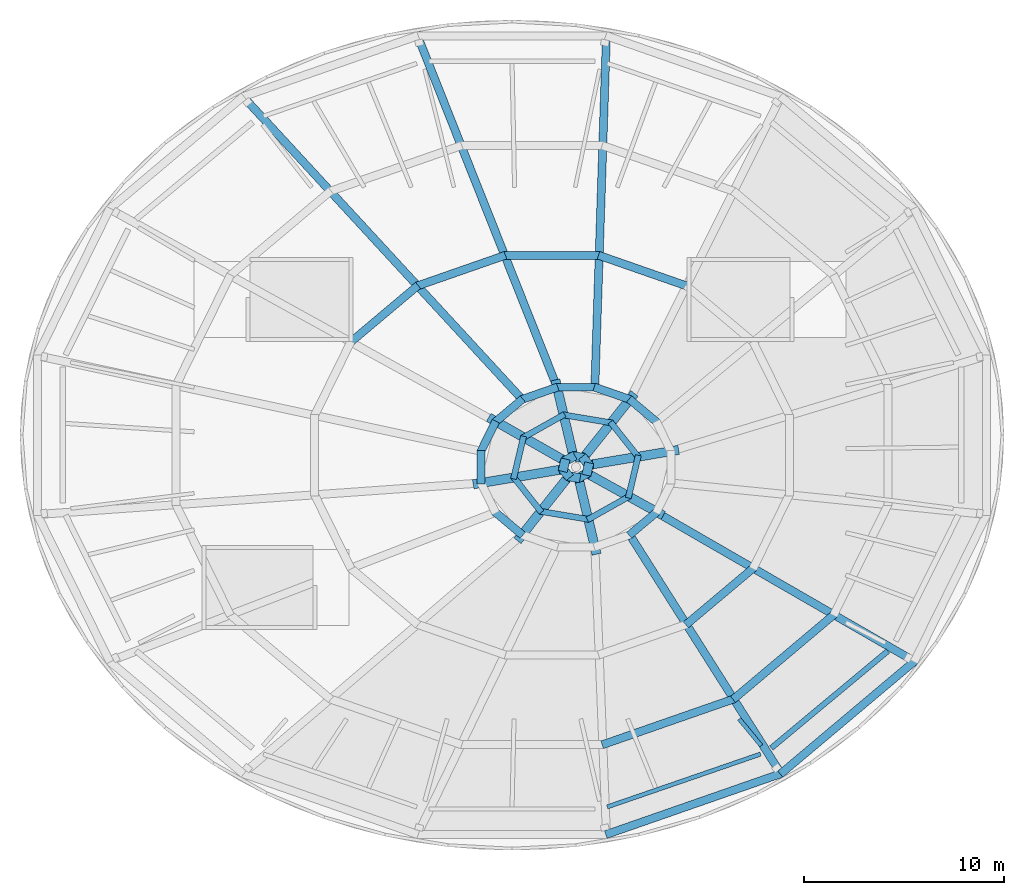
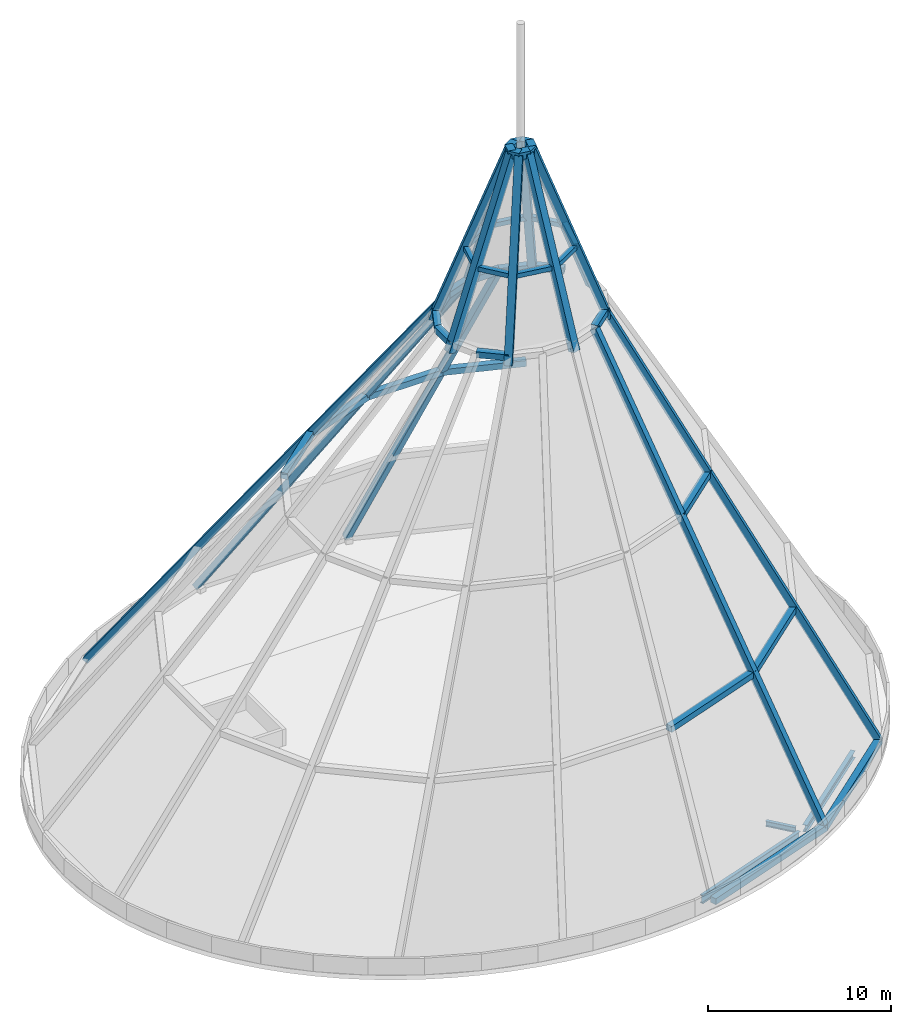
# One storey, part 2 of 7: 47 members, 3 beams, 19 elements without a shape of their own.
"""IFC4 building model written with IfcOpenShell, lengths in metres."""

import ifcopenshell
import ifcopenshell.guid

model = None  # the IFC model being written
_history = None  # IfcOwnerHistory: only IFC2X3 demands one
_inside = {}  # id of a spatial element -> (the spatial element, [elements in it])
_under = {}  # id of a project, library or spatial element -> (it, [spatial elements below it])
_declared = {}  # id of a project -> (the project, [libraries it declares])
_typed = {}  # id of a type object -> (the type object, [elements of that type])
_made_of = {}  # id of a material, layer set ... -> (it, [elements and type objects made of it])


def new_model(schema):
    """Start an empty IFC model of exactly this schema.

    Asked for "IFC4X3", IfcOpenShell would pick the latest addendum, in which some entities
    have other attributes; the version numbers below select the first issue.
    IFC2X3 requires an IfcOwnerHistory on every rooted entity: one is made here for all.
    """
    global model, _history
    if schema == "IFC4X3":
        model = ifcopenshell.file(schema_version=(4, 3, 0, 0))
    else:
        model = ifcopenshell.file(schema=schema)
    _inside.clear()
    _under.clear()
    _declared.clear()
    _typed.clear()
    _made_of.clear()
    _history = None
    if model.schema == "IFC2X3":
        org = make("IfcOrganization", Name="unknown")
        user = make(
            "IfcPersonAndOrganization",
            ThePerson=make("IfcPerson", FamilyName="unknown"),
            TheOrganization=org,
        )
        app = make(
            "IfcApplication",
            ApplicationDeveloper=org,
            Version="unknown",
            ApplicationFullName="unknown",
            ApplicationIdentifier="unknown",
        )
        _history = make(
            "IfcOwnerHistory",
            OwningUser=user,
            OwningApplication=app,
            ChangeAction="ADDED",
            CreationDate=0,
        )
    return model


def make(cls, **values):
    """One entity of the class cls with the attributes given. An attribute that is None is left unset."""
    return model.create_entity(
        cls, **{name: value for name, value in values.items() if value is not None}
    )


def rooted(cls, **values):
    """An entity with a GlobalId (a new one), such as an element, a storey or a relation."""
    return make(cls, GlobalId=ifcopenshell.guid.new(), OwnerHistory=_history, **values)


def si_unit(unit_type, name, prefix=None):
    """IfcSIUnit, for example si_unit("LENGTHUNIT", "METRE", prefix="MILLI")."""
    return make("IfcSIUnit", UnitType=unit_type, Prefix=prefix, Name=name)


def assignment(units):
    """IfcUnitAssignment: the units of a project."""
    return None if units is None else make("IfcUnitAssignment", Units=units)


def point(xyz):
    """IfcCartesianPoint."""
    return None if xyz is None else make("IfcCartesianPoint", Coordinates=xyz)


def direction(xyz):
    """IfcDirection."""
    return None if xyz is None else make("IfcDirection", DirectionRatios=xyz)


def frame(location, z_axis=None, x_axis=None):
    """IfcAxis2Placement3D, a coordinate frame: its origin and axes. An axis left out is left unset."""
    return make(
        "IfcAxis2Placement3D",
        Location=point(location),
        Axis=direction(z_axis),
        RefDirection=direction(x_axis),
    )


def frame_2d(location, x_axis=None):
    """IfcAxis2Placement2D, a coordinate frame in the plane: its origin and x axis."""
    return make(
        "IfcAxis2Placement2D", Location=point(location), RefDirection=direction(x_axis)
    )


def origin():
    """The frame at (0, 0, 0) with its axes left unset."""
    return frame((0.0, 0.0, 0.0))


def origin_2d():
    """The frame at (0, 0) in the plane with its x axis left unset."""
    return frame_2d((0.0, 0.0))


def place(relative_to, where):
    """IfcLocalPlacement: puts the frame where relative to a parent placement (None: the world)."""
    return make(
        "IfcLocalPlacement", PlacementRelTo=relative_to, RelativePlacement=where
    )


def context(
    kind, dimensions, precision=None, world=None, true_north=None, identifier=None
):
    """IfcGeometricRepresentationContext, for example the 3D "Model" context."""
    return make(
        "IfcGeometricRepresentationContext",
        ContextIdentifier=identifier,
        ContextType=kind,
        CoordinateSpaceDimension=dimensions,
        Precision=precision,
        WorldCoordinateSystem=world,
        TrueNorth=true_north,
    )


def subcontext(parent, identifier, kind, view, scale=None):
    """IfcGeometricRepresentationSubContext, for example "Body" below "Model"."""
    return make(
        "IfcGeometricRepresentationSubContext",
        ContextIdentifier=identifier,
        ContextType=kind,
        ParentContext=parent,
        TargetScale=scale,
        TargetView=view,
    )


def project(units=None, contexts=None):
    """IfcProject with its units and contexts."""
    return rooted(
        "IfcProject",
        Name="project",
        RepresentationContexts=contexts,
        UnitsInContext=assignment(units),
    )


def spatial(cls, under=None, at=None, **own):
    """A site, building, storey or space (cls), placed at a placement, below another one or the project."""
    s = rooted(cls, ObjectPlacement=at, **own)
    if under is not None:
        _under.setdefault(under.id(), (under, []))[1].append(s)
    return s


def profile(cls, at=None, kind="AREA", **sizes):
    """A parametric profile (cls). Its sizes go by their IFC names, for example OverallWidth=200.0."""
    return make(cls, ProfileType=kind, Position=at, **sizes)


def rectangle(**sizes):
    """IfcRectangleProfileDef."""
    return profile("IfcRectangleProfileDef", **sizes)


def i_section(**sizes):
    """IfcIShapeProfileDef."""
    return profile("IfcIShapeProfileDef", **sizes)


def extrude(swept, where, along, depth):
    """IfcExtrudedAreaSolid: the profile swept, set in the frame where, extruded along a direction by depth."""
    return make(
        "IfcExtrudedAreaSolid",
        SweptArea=swept,
        Position=where,
        ExtrudedDirection=direction(along),
        Depth=depth,
    )


def shape(context_of_items, identifier, shape_type, items):
    """IfcShapeRepresentation: the items that make up one representation, for example the "Body"."""
    return make(
        "IfcShapeRepresentation",
        ContextOfItems=context_of_items,
        RepresentationIdentifier=identifier,
        RepresentationType=shape_type,
        Items=items,
    )


def material(Name=None, Category=None):
    """IfcMaterial."""
    return make("IfcMaterial", Name=Name, Category=Category)


def material_profile(
    of_material, cross_section, Name=None, Category=None, Priority=None
):
    """IfcMaterialProfile: a cross section and its material."""
    return make(
        "IfcMaterialProfile",
        Name=Name,
        Material=of_material,
        Profile=cross_section,
        Priority=Priority,
        Category=Category,
    )


def profile_set(profiles, Name=None, composite=None):
    """IfcMaterialProfileSet."""
    return make(
        "IfcMaterialProfileSet",
        Name=Name,
        MaterialProfiles=profiles,
        CompositeProfile=composite,
    )


def made_of(thing, what):
    """Note that an element or type object is made of a material, layer set ...; save() writes the relation."""
    if what is not None:
        _made_of.setdefault(what.id(), (what, []))[1].append(thing)
    return thing


def type_object(cls, material=None, **own):
    """A type object (cls), such as IfcWallType, which elements share."""
    return made_of(rooted(cls, **own), material)


def element(
    cls,
    number,
    at=None,
    inside=None,
    cuts=None,
    type_object=None,
    material=None,
    context=None,
    identifier="Body",
    shape_type=None,
    held_by="IfcProductDefinitionShape",
    body=None,
    shapes=None,
    **own,
):
    """One element of the class cls, such as IfcWall. Its Tag is "e" and its number.

    at: its placement. inside: the storey or other place that contains it. cuts: it is an
    opening in that element (IfcRelVoidsElement). A single representation is given by context,
    identifier, shape_type and body (its items); several are given by shapes. held_by: the class
    of the entity that holds the representations. save() writes the other relations.
    """
    e = rooted(cls, Tag="e%d" % number, ObjectPlacement=at, **own)
    if body is not None:
        shapes = [shape(context, identifier, shape_type, body)]
    if shapes is not None:
        e.Representation = make(held_by, Representations=shapes)
    if inside is not None:
        _inside.setdefault(inside.id(), (inside, []))[1].append(e)
    if cuts is not None:
        rooted(
            "IfcRelVoidsElement", RelatingBuildingElement=cuts, RelatedOpeningElement=e
        )
    if type_object is not None:
        _typed.setdefault(type_object.id(), (type_object, []))[1].append(e)
    return made_of(e, material)


def aggregate(whole, parts):
    """IfcRelAggregates: a whole, such as a stair, and the parts it consists of."""
    return rooted("IfcRelAggregates", RelatingObject=whole, RelatedObjects=parts)


def save(model, path):
    """Write the relations noted so far, then the file.

    IfcRelAggregates (storeys below a building ...), IfcRelContainedInSpatialStructure (elements
    in a storey), IfcRelDefinesByType, IfcRelAssociatesMaterial and IfcRelDeclares: one each for
    every whole, place, type object, material and project.
    """
    for whole, parts in _under.values():
        aggregate(whole, parts)
    for where, things in _inside.values():
        rooted(
            "IfcRelContainedInSpatialStructure",
            RelatedElements=things,
            RelatingStructure=where,
        )
    for kind, things in _typed.values():
        rooted("IfcRelDefinesByType", RelatedObjects=things, RelatingType=kind)
    for what, things in _made_of.values():
        rooted("IfcRelAssociatesMaterial", RelatedObjects=things, RelatingMaterial=what)
    for by, libraries in _declared.values():
        rooted("IfcRelDeclares", RelatingContext=by, RelatedDefinitions=libraries)
    model.write(path)


model = new_model("IFC4")

# Units and contexts
model_context = context("Model", 3, precision=1e-05, world=origin(), true_north=direction((0.0, 1.0)))
body_context = subcontext(model_context, "Body", "Model", "MODEL_VIEW")
ifc_project = project(units=[si_unit("LENGTHUNIT", "METRE"), si_unit("AREAUNIT", "SQUARE_METRE"), si_unit("VOLUMEUNIT", "CUBIC_METRE"), si_unit("PLANEANGLEUNIT", "RADIAN"), si_unit("MASSUNIT", "GRAM", prefix="KILO")], contexts=[model_context])

# Site, building, storey
site_placement = place(None, origin())
site = spatial("IfcSite", under=ifc_project, at=site_placement, CompositionType="ELEMENT")
building_placement = place(site_placement, origin())
building = spatial("IfcBuilding", under=site, at=building_placement, Name="Marenthal Gate Tower", CompositionType="ELEMENT")
storey_placement = place(building_placement, frame((0.0, 0.0, 423.550048828125)))
storey = spatial("IfcBuildingStorey", under=building, at=storey_placement, Name="RF", CompositionType="ELEMENT", Elevation=423.550048828125)

# Curtain wall, member
ifc_material_1 = material(Name="Aluminium and glass", Category="aluminium")
curtain_wall_type = type_object("IfcCurtainWallType", Name="Curtain wall crown facet", PredefinedType="NOTDEFINED", material=ifc_material_1)
curtain_wall_1_placement = place(storey_placement, origin())
curtain_wall_1 = element("IfcCurtainWall", 1, at=curtain_wall_1_placement, inside=storey, type_object=curtain_wall_type, Name="Crown facet 4", PredefinedType="NOTDEFINED")
ifc_material_2 = material(Name="Steel S355", Category="steel")
ifc_material_profile_1 = material_profile(ifc_material_2, rectangle(XDim=0.39990234375, YDim=0.39990234375, at=origin_2d()), Name="Crown frame hip 400x400")
ifc_profile_set_1 = profile_set([ifc_material_profile_1], Name="Steel S355")
member_type_1 = type_object("IfcMemberType", Name="CROWN FRAME hip 400x400", PredefinedType="MULLION", material=ifc_profile_set_1)
member_1_placement = place(storey_placement, frame((4.32421875, 20.877685546875, 0.199951171875), z_axis=(-0.017254068832, -0.523635177011, 0.851767866561), x_axis=(0.999457572179, -0.032932680045, 0.0)))
member_1 = element("IfcMember", 2, at=member_1_placement, type_object=member_type_1, Name="Crown frame hip 4", PredefinedType="MULLION", context=body_context, shape_type="SweptSolid", body=[
    extrude(rectangle(XDim=0.39990234375, YDim=0.39990234375, at=origin_2d()), origin(), (0.0, 0.0, 1.0), 33.577392578125),
])

curtain_wall_2_placement = place(storey_placement, origin())
curtain_wall_2 = element("IfcCurtainWall", 3, at=curtain_wall_2_placement, inside=storey, type_object=curtain_wall_type, Name="Crown facet 5", PredefinedType="NOTDEFINED")
member_2_placement = place(storey_placement, frame((-5.1240234375, 20.877685546875, 0.199951171875), z_axis=(0.203535284517, -0.512750571417, 0.834062491345), x_axis=(0.929451656451, 0.368943923004, 0.0)))
member_2 = element("IfcMember", 4, at=member_2_placement, type_object=member_type_1, Name="Crown frame hip 5", PredefinedType="MULLION", context=body_context, shape_type="SweptSolid", body=[
    extrude(rectangle(XDim=0.39990234375, YDim=0.39990234375, at=origin_2d()), origin(), (0.0, 0.0, 1.0), 34.2900390625),
])

curtain_wall_3_placement = place(storey_placement, origin())
curtain_wall_3 = element("IfcCurtainWall", 5, at=curtain_wall_3_placement, inside=storey, type_object=curtain_wall_type, Name="Crown facet 6", PredefinedType="NOTDEFINED")
member_3_placement = place(storey_placement, frame((-13.85302734375, 17.836181640625, 0.199951171875), z_axis=(0.39612175097, -0.429784134424, 0.81140196956), x_axis=(0.735316624789, 0.677723735241, 0.0)))
member_3 = element("IfcMember", 6, at=member_3_placement, type_object=member_type_1, Name="Crown frame hip 6", PredefinedType="MULLION", context=body_context, shape_type="SweptSolid", body=[
    extrude(rectangle(XDim=0.39990234375, YDim=0.39990234375, at=origin_2d()), origin(), (0.0, 0.0, 1.0), 35.247802734375),
])

curtain_wall_4_placement = place(storey_placement, origin())
curtain_wall_4 = element("IfcCurtainWall", 7, at=curtain_wall_4_placement, inside=storey, type_object=curtain_wall_type, Name="Crown facet 14", PredefinedType="NOTDEFINED")
member_4_placement = place(storey_placement, frame((13.052978515625, -16.0361328125, 0.199951171875), z_axis=(-0.237023896935, 0.374516887415, 0.896413282657), x_axis=(-0.844992541983, -0.53477808855, 0.0)))
member_4 = element("IfcMember", 8, at=member_4_placement, type_object=member_type_1, Name="Crown frame hip 14", PredefinedType="MULLION", context=body_context, shape_type="SweptSolid", body=[
    extrude(rectangle(XDim=0.39990234375, YDim=0.39990234375, at=origin_2d()), origin(), (0.0, 0.0, 1.0), 31.905029296875),
])

curtain_wall_5_placement = place(storey_placement, origin())
curtain_wall_5 = element("IfcCurtainWall", 9, at=curtain_wall_5_placement, inside=storey, type_object=curtain_wall_type, Name="Crown facet 15", PredefinedType="NOTDEFINED")
member_5_placement = place(storey_placement, frame((19.73388671875, -10.41650390625, 0.199951171875), z_axis=(-0.400208360641, 0.231099945782, 0.886806677429), x_axis=(-0.500064169091, -0.865988352573, 0.0)))
member_5 = element("IfcMember", 10, at=member_5_placement, type_object=member_type_1, Name="Crown frame hip 15", PredefinedType="MULLION", context=body_context, shape_type="SweptSolid", body=[
    extrude(rectangle(XDim=0.39990234375, YDim=0.39990234375, at=origin_2d()), origin(), (0.0, 0.0, 1.0), 32.250732421875),
])
aggregate(curtain_wall_5, [member_5])

curtain_wall_6_placement = place(storey_placement, origin())
curtain_wall_6 = element("IfcCurtainWall", 11, at=curtain_wall_6_placement, inside=storey, type_object=curtain_wall_type, Name="Crown pinnacle facet 1", PredefinedType="NOTDEFINED")
ifc_material_3 = material(Name="Steel S355", Category="steel")
ifc_material_profile_2 = material_profile(ifc_material_3, rectangle(XDim=0.4599609375, YDim=0.4599609375, at=origin_2d()), Name="Crown frame pinnacle collar 460x460")
ifc_profile_set_2 = profile_set([ifc_material_profile_2], Name="Steel S355")
member_type_2 = type_object("IfcMemberType", Name="CROWN FRAME pinnacle collar 460x460", PredefinedType="USERDEFINED", material=ifc_profile_set_2)
member_6_placement = place(storey_placement, frame((3.510498046875, -0.68017578125, 39.619873046875), z_axis=(-0.621929791008, 0.783073007488, 0.0), x_axis=(-0.783073007488, -0.621929791008, 0.0)))
member_6 = element("IfcMember", 12, at=member_6_placement, type_object=member_type_2, Name="Crown frame pinnacle ring 2.1", ObjectType="TRANSOM", PredefinedType="USERDEFINED", context=body_context, shape_type="SweptSolid", body=[
    extrude(rectangle(XDim=0.4599609375, YDim=0.4599609375, at=origin_2d()), origin(), (0.0, 0.0, 1.0), 0.64697265625),
])

curtain_wall_7_placement = place(storey_placement, origin())
curtain_wall_7 = element("IfcCurtainWall", 13, at=curtain_wall_7_placement, inside=storey, type_object=curtain_wall_type, Name="Crown pinnacle facet 2", PredefinedType="NOTDEFINED")
member_7_placement = place(storey_placement, frame((3.250244140625, -0.25732421875, 39.619873046875), z_axis=(-0.986334488263, 0.164755204053, 0.0), x_axis=(-0.164755204053, -0.986334488263, 0.0)))
member_7 = element("IfcMember", 14, at=member_7_placement, type_object=member_type_2, Name="Crown frame pinnacle ring 2.2", ObjectType="TRANSOM", PredefinedType="USERDEFINED", context=body_context, shape_type="SweptSolid", body=[
    extrude(rectangle(XDim=0.4599609375, YDim=0.4599609375, at=origin_2d()), origin(), (0.0, 0.0, 1.0), 0.666748046875),
])

curtain_wall_8_placement = place(storey_placement, origin())
curtain_wall_8 = element("IfcCurtainWall", 15, at=curtain_wall_8_placement, inside=storey, type_object=curtain_wall_type, Name="Crown pinnacle facet 3", PredefinedType="NOTDEFINED")
member_8_placement = place(storey_placement, frame((2.7431640625, -0.12109375, 39.619873046875), z_axis=(-0.871822802942, -0.489821396298, 0.0), x_axis=(0.489821396298, -0.871822802942, 0.0)))
member_8 = element("IfcMember", 16, at=member_8_placement, type_object=member_type_2, Name="Crown frame pinnacle ring 2.3", ObjectType="TRANSOM", PredefinedType="USERDEFINED", context=body_context, shape_type="SweptSolid", body=[
    extrude(rectangle(XDim=0.4599609375, YDim=0.4599609375, at=origin_2d()), origin(), (0.0, 0.0, 1.0), 0.658935546875),
])

curtain_wall_9_placement = place(storey_placement, origin())
curtain_wall_9 = element("IfcCurtainWall", 17, at=curtain_wall_9_placement, inside=storey, type_object=curtain_wall_type, Name="Crown pinnacle facet 4", PredefinedType="NOTDEFINED")
member_9_placement = place(storey_placement, frame((2.27978515625, -0.29638671875, 39.619873046875), z_axis=(-0.230150951779, -0.973154941104, 0.0), x_axis=(0.973154941104, -0.230150951779, 0.0)))
member_9 = element("IfcMember", 18, at=member_9_placement, type_object=member_type_2, Name="Crown frame pinnacle ring 2.4", ObjectType="TRANSOM", PredefinedType="USERDEFINED", context=body_context, shape_type="SweptSolid", body=[
    extrude(rectangle(XDim=0.4599609375, YDim=0.4599609375, at=origin_2d()), origin(), (0.0, 0.0, 1.0), 0.636474609375),
])

curtain_wall_10_placement = place(storey_placement, origin())
curtain_wall_10 = element("IfcCurtainWall", 19, at=curtain_wall_10_placement, inside=storey, type_object=curtain_wall_type, Name="Crown pinnacle facet 5", PredefinedType="NOTDEFINED")
member_10_placement = place(storey_placement, frame((2.089599609375, -0.719970703125, 39.619873046875), z_axis=(0.622113620685, -0.782926971663, 0.0), x_axis=(0.782926971663, 0.622113620685, 0.0)))
member_10 = element("IfcMember", 20, at=member_10_placement, type_object=member_type_2, Name="Crown frame pinnacle ring 2.5", ObjectType="TRANSOM", PredefinedType="USERDEFINED", context=body_context, shape_type="SweptSolid", body=[
    extrude(rectangle(XDim=0.4599609375, YDim=0.4599609375, at=origin_2d()), origin(), (0.0, 0.0, 1.0), 0.646728515625),
])

curtain_wall_11_placement = place(storey_placement, origin())
curtain_wall_11 = element("IfcCurtainWall", 21, at=curtain_wall_11_placement, inside=storey, type_object=curtain_wall_type, Name="Crown pinnacle facet 6", PredefinedType="NOTDEFINED")
member_11_placement = place(storey_placement, frame((2.349609375, -1.142578125, 39.619873046875), z_axis=(0.98628490639, -0.165051759845, 0.0), x_axis=(0.165051759845, 0.98628490639, 0.0)))
member_11 = element("IfcMember", 22, at=member_11_placement, type_object=member_type_2, Name="Crown frame pinnacle ring 2.6", ObjectType="TRANSOM", PredefinedType="USERDEFINED", context=body_context, shape_type="SweptSolid", body=[
    extrude(rectangle(XDim=0.4599609375, YDim=0.4599609375, at=origin_2d()), origin(), (0.0, 0.0, 1.0), 0.6669921875),
])

curtain_wall_12_placement = place(storey_placement, origin())
curtain_wall_12 = element("IfcCurtainWall", 23, at=curtain_wall_12_placement, inside=storey, type_object=curtain_wall_type, Name="Crown pinnacle facet 7", PredefinedType="NOTDEFINED")
member_12_placement = place(storey_placement, frame((2.85693359375, -1.279052734375, 39.619873046875), z_axis=(0.871664562223, 0.490102939151, 0.0), x_axis=(-0.490102939151, 0.871664562223, 0.0)))
member_12 = element("IfcMember", 24, at=member_12_placement, type_object=member_type_2, Name="Crown frame pinnacle ring 2.7", ObjectType="TRANSOM", PredefinedType="USERDEFINED", context=body_context, shape_type="SweptSolid", body=[
    extrude(rectangle(XDim=0.4599609375, YDim=0.4599609375, at=origin_2d()), origin(), (0.0, 0.0, 1.0), 0.658935546875),
])

curtain_wall_13_placement = place(storey_placement, origin())
curtain_wall_13 = element("IfcCurtainWall", 25, at=curtain_wall_13_placement, inside=storey, type_object=curtain_wall_type, Name="Crown pinnacle facet 8", PredefinedType="NOTDEFINED")
member_13_placement = place(storey_placement, frame((3.3203125, -1.103515625, 39.619873046875), z_axis=(0.230150951779, 0.973154941104, 0.0), x_axis=(-0.973154941104, 0.230150951779, 0.0)))
member_13 = element("IfcMember", 26, at=member_13_placement, type_object=member_type_2, Name="Crown frame pinnacle ring 2.8", ObjectType="TRANSOM", PredefinedType="USERDEFINED", context=body_context, shape_type="SweptSolid", body=[
    extrude(rectangle(XDim=0.4599609375, YDim=0.4599609375, at=origin_2d()), origin(), (0.0, 0.0, 1.0), 0.636474609375),
])

# Member
ifc_material_4 = material(Name="Steel S355", Category="steel")
ifc_material_profile_3 = material_profile(ifc_material_4, rectangle(XDim=0.4599609375, YDim=0.4599609375, at=origin_2d()), Name="Crown frame pinnacle hip 460x460")
ifc_profile_set_3 = profile_set([ifc_material_profile_3], Name="Steel S355")
member_type_3 = type_object("IfcMemberType", Name="CROWN FRAME pinnacle hip 460x460", PredefinedType="MULLION", material=ifc_profile_set_3)
member_14_placement = place(storey_placement, frame((7.72705078125, 0.12451171875, 28.333251953125), z_axis=(-0.354373746346, -0.059307893293, 0.933221207267), x_axis=(0.16506402863, -0.986282853168, 0.0)))
member_14 = element("IfcMember", 27, at=member_14_placement, type_object=member_type_3, Name="Crown frame pinnacle hip 1", PredefinedType="MULLION", context=body_context, shape_type="SweptSolid", body=[
    extrude(rectangle(XDim=0.4599609375, YDim=0.4599609375, at=origin_2d()), origin(), (0.0, 0.0, 1.0), 12.09423828125),
])

member_15_placement = place(storey_placement, frame((5.59228515625, 2.815185546875, 28.327392578125), z_axis=(-0.203301174604, -0.255934724933, 0.945074626142), x_axis=(0.783023091011, -0.621992635763, 0.0)))
member_15 = element("IfcMember", 28, at=member_15_placement, type_object=member_type_3, Name="Crown frame pinnacle hip 2", PredefinedType="MULLION", context=body_context, shape_type="SweptSolid", body=[
    extrude(rectangle(XDim=0.4599609375, YDim=0.4599609375, at=origin_2d()), origin(), (0.0, 0.0, 1.0), 11.94873046875),
])

member_16_placement = place(storey_placement, frame((1.8193359375, 3.447265625, 28.324951171875), z_axis=(0.071756499367, -0.303496722278, 0.950126699112), x_axis=(0.973169601097, 0.230088955625, 0.0)))
member_16 = element("IfcMember", 29, at=member_16_placement, type_object=member_type_3, Name="Crown frame pinnacle hip 3", PredefinedType="MULLION", context=body_context, shape_type="SweptSolid", body=[
    extrude(rectangle(XDim=0.4599609375, YDim=0.4599609375, at=origin_2d()), origin(), (0.0, 0.0, 1.0), 11.8876953125),
])

member_17_placement = place(storey_placement, frame((-1.377685546875, 1.67822265625, 28.330810546875), z_axis=(0.301865258015, -0.172164183834, 0.937676308653), x_axis=(0.49542236637, 0.868652219763, 0.0)))
member_17 = element("IfcMember", 30, at=member_17_placement, type_object=member_type_3, Name="Crown frame pinnacle hip 4", PredefinedType="MULLION", context=body_context, shape_type="SweptSolid", body=[
    extrude(rectangle(XDim=0.4599609375, YDim=0.4599609375, at=origin_2d()), origin(), (0.0, 0.0, 1.0), 12.039306640625),
])

member_18_placement = place(storey_placement, frame((-2.127197265625, -1.5244140625, 28.333251953125), z_axis=(0.354391821814, 0.059287353649, 0.933215648352), x_axis=(-0.165000233044, 0.986293527858, 0.0)))
member_18 = element("IfcMember", 31, at=member_18_placement, type_object=member_type_3, Name="Crown frame pinnacle hip 5", PredefinedType="MULLION", context=body_context, shape_type="SweptSolid", body=[
    extrude(rectangle(XDim=0.4599609375, YDim=0.4599609375, at=origin_2d()), origin(), (0.0, 0.0, 1.0), 12.09423828125),
])

member_19_placement = place(storey_placement, frame((0.0078125, -4.215087890625, 28.327392578125), z_axis=(0.203282649698, 0.255916693885, 0.945083493731), x_axis=(-0.783029352691, 0.621984752888, 0.0)))
member_19 = element("IfcMember", 32, at=member_19_placement, type_object=member_type_3, Name="Crown frame pinnacle hip 6", PredefinedType="MULLION", context=body_context, shape_type="SweptSolid", body=[
    extrude(rectangle(XDim=0.4599609375, YDim=0.4599609375, at=origin_2d()), origin(), (0.0, 0.0, 1.0), 11.94873046875),
])

member_20_placement = place(storey_placement, frame((3.78076171875, -4.84716796875, 28.324951171875), z_axis=(-0.07177693064, 0.303496274962, 0.950125298743), x_axis=(-0.973154853901, -0.230151320502, 0.0)))
member_20 = element("IfcMember", 33, at=member_20_placement, type_object=member_type_3, Name="Crown frame pinnacle hip 7", PredefinedType="MULLION", context=body_context, shape_type="SweptSolid", body=[
    extrude(rectangle(XDim=0.4599609375, YDim=0.4599609375, at=origin_2d()), origin(), (0.0, 0.0, 1.0), 11.887939453125),
])

member_21_placement = place(storey_placement, frame((6.977783203125, -3.01806640625, 28.330810546875), z_axis=(-0.302121081288, 0.167317358198, 0.938470965926), x_axis=(-0.484474920216, -0.874805150695, 0.0)))
member_21 = element("IfcMember", 34, at=member_21_placement, type_object=member_type_3, Name="Crown frame pinnacle hip 8", PredefinedType="MULLION", context=body_context, shape_type="SweptSolid", body=[
    extrude(rectangle(XDim=0.4599609375, YDim=0.4599609375, at=origin_2d()), origin(), (0.0, 0.0, 1.0), 12.029296875),
])

ifc_material_5 = material(Name="Steel S355", Category="steel")
ifc_material_profile_4 = material_profile(ifc_material_5, rectangle(XDim=0.300048828125, YDim=0.300048828125, at=origin_2d()), Name="Crown frame pinnacle ring 300x300")
ifc_profile_set_4 = profile_set([ifc_material_profile_4], Name="Steel S355")
member_type_4 = type_object("IfcMemberType", Name="CROWN FRAME pinnacle ring 300x300", PredefinedType="USERDEFINED", material=ifc_profile_set_4)
member_22_placement = place(storey_placement, frame((5.95166015625, -0.2373046875, 33.1279296875), z_axis=(-0.622006815044, 0.783011827521, 0.0), x_axis=(-0.783011827521, -0.622006815044, 0.0)))
member_22 = element("IfcMember", 35, at=member_22_placement, type_object=member_type_4, Name="Crown frame pinnacle ring 1.1", ObjectType="TRANSOM", PredefinedType="USERDEFINED", context=body_context, shape_type="SweptSolid", body=[
    extrude(rectangle(XDim=0.300048828125, YDim=0.300048828125, at=origin_2d()), origin(), (0.0, 0.0, 1.0), 2.295654296875),
])

aggregate(curtain_wall_6, [member_14, member_22, member_6])

member_23_placement = place(storey_placement, frame((4.616455078125, 1.505615234375, 33.1279296875), z_axis=(-0.98629166157, 0.165011388445, 0.0), x_axis=(-0.165011388445, -0.98629166157, 0.0)))
member_23 = element("IfcMember", 36, at=member_23_placement, type_object=member_type_4, Name="Crown frame pinnacle ring 1.2", ObjectType="TRANSOM", PredefinedType="USERDEFINED", context=body_context, shape_type="SweptSolid", body=[
    extrude(rectangle(XDim=0.300048828125, YDim=0.300048828125, at=origin_2d()), origin(), (0.0, 0.0, 1.0), 2.521240234375),
])

aggregate(curtain_wall_7, [member_15, member_23, member_7])

member_24_placement = place(storey_placement, frame((2.228271484375, 1.93896484375, 33.1279296875), z_axis=(-0.871768589213, -0.489917877671, 0.0), x_axis=(0.489917877671, -0.871768589213, 0.0)))
member_24 = element("IfcMember", 37, at=member_24_placement, type_object=member_type_4, Name="Crown frame pinnacle ring 1.3", ObjectType="TRANSOM", PredefinedType="USERDEFINED", context=body_context, shape_type="SweptSolid", body=[
    extrude(rectangle(XDim=0.300048828125, YDim=0.300048828125, at=origin_2d()), origin(), (0.0, 0.0, 1.0), 2.430908203125),
])

aggregate(curtain_wall_8, [member_16, member_24, member_8])

member_25_placement = place(storey_placement, frame((0.181640625, 0.84423828125, 33.1279296875), z_axis=(-0.230155770952, -0.973153801358, 0.0), x_axis=(0.973153801358, -0.230155770952, 0.0)))
member_25 = element("IfcMember", 38, at=member_25_placement, type_object=member_type_4, Name="Crown frame pinnacle ring 1.4", ObjectType="TRANSOM", PredefinedType="USERDEFINED", context=body_context, shape_type="SweptSolid", body=[
    extrude(rectangle(XDim=0.300048828125, YDim=0.300048828125, at=origin_2d()), origin(), (0.0, 0.0, 1.0), 2.193603515625),
])

aggregate(curtain_wall_9, [member_17, member_25, member_9])

member_26_placement = place(storey_placement, frame((-0.3515625, -1.162841796875, 33.1279296875), z_axis=(0.621941608189, -0.783063621938, 0.0), x_axis=(0.783063621938, 0.621941608189, 0.0)))
member_26 = element("IfcMember", 39, at=member_26_placement, type_object=member_type_4, Name="Crown frame pinnacle ring 1.5", ObjectType="TRANSOM", PredefinedType="USERDEFINED", context=body_context, shape_type="SweptSolid", body=[
    extrude(rectangle(XDim=0.300048828125, YDim=0.300048828125, at=origin_2d()), origin(), (0.0, 0.0, 1.0), 2.295654296875),
])

aggregate(curtain_wall_10, [member_18, member_26, member_10])

member_27_placement = place(storey_placement, frame((0.983642578125, -2.90576171875, 33.1279296875), z_axis=(0.986289024423, -0.165027150198, 0.0), x_axis=(0.165027150198, 0.986289024423, 0.0)))
member_27 = element("IfcMember", 40, at=member_27_placement, type_object=member_type_4, Name="Crown frame pinnacle ring 1.6", ObjectType="TRANSOM", PredefinedType="USERDEFINED", context=body_context, shape_type="SweptSolid", body=[
    extrude(rectangle(XDim=0.300048828125, YDim=0.300048828125, at=origin_2d()), origin(), (0.0, 0.0, 1.0), 2.52099609375),
])

aggregate(curtain_wall_11, [member_19, member_27, member_11])

member_28_placement = place(storey_placement, frame((3.371826171875, -3.3388671875, 33.1279296875), z_axis=(0.871744479885, 0.489960775767, 0.0), x_axis=(-0.489960775767, 0.871744479885, 0.0)))
member_28 = element("IfcMember", 41, at=member_28_placement, type_object=member_type_4, Name="Crown frame pinnacle ring 1.7", ObjectType="TRANSOM", PredefinedType="USERDEFINED", context=body_context, shape_type="SweptSolid", body=[
    extrude(rectangle(XDim=0.300048828125, YDim=0.300048828125, at=origin_2d()), origin(), (0.0, 0.0, 1.0), 2.4306640625),
])

aggregate(curtain_wall_12, [member_20, member_28, member_12])

member_29_placement = place(storey_placement, frame((5.41845703125, -2.244140625, 33.1279296875), z_axis=(0.230050368435, 0.973178723557, 0.0), x_axis=(-0.973178723557, 0.230050368435, 0.0)))
member_29 = element("IfcMember", 42, at=member_29_placement, type_object=member_type_4, Name="Crown frame pinnacle ring 1.8", ObjectType="TRANSOM", PredefinedType="USERDEFINED", context=body_context, shape_type="SweptSolid", body=[
    extrude(rectangle(XDim=0.300048828125, YDim=0.300048828125, at=origin_2d()), origin(), (0.0, 0.0, 1.0), 2.193603515625),
])

aggregate(curtain_wall_13, [member_21, member_29, member_13])

# Curtain wall, member
curtain_wall_14_placement = place(storey_placement, origin())
curtain_wall_14 = element("IfcCurtainWall", 43, at=curtain_wall_14_placement, inside=storey, type_object=curtain_wall_type, Name="Crown facet 2", PredefinedType="NOTDEFINED")
ifc_material_6 = material(Name="Steel S355", Category="steel")
ifc_material_profile_5 = material_profile(ifc_material_6, rectangle(XDim=0.39990234375, YDim=0.39990234375, at=origin_2d()), Name="Crown frame ring 400x400")
ifc_profile_set_5 = profile_set([ifc_material_profile_5], Name="Steel S355")
member_type_5 = type_object("IfcMemberType", Name="CROWN FRAME ring 400x400", PredefinedType="USERDEFINED", material=ifc_profile_set_5)
member_30_placement = place(storey_placement, frame((6.85888671875, 1.5361328125, 28.800048828125), z_axis=(-0.765230271789, 0.643756655218, 0.0), x_axis=(-0.643756655218, -0.765230271789, 0.0)))
member_30 = element("IfcMember", 44, at=member_30_placement, type_object=member_type_5, Name="Crown frame ring 2.3", ObjectType="TRANSOM", PredefinedType="USERDEFINED", context=body_context, shape_type="SweptSolid", body=[
    extrude(rectangle(XDim=0.39990234375, YDim=0.39990234375, at=origin_2d()), origin(), (0.0, 0.0, 1.0), 1.824951171875),
])
aggregate(curtain_wall_14, [member_30])

# Curtain wall, members
curtain_wall_15_placement = place(storey_placement, origin())
curtain_wall_15 = element("IfcCurtainWall", 45, at=curtain_wall_15_placement, inside=storey, type_object=curtain_wall_type, Name="Crown facet 3", PredefinedType="NOTDEFINED")
member_31_placement = place(storey_placement, frame((8.361328125, 8.35595703125, 18.0), z_axis=(-0.944319779985, 0.329029106811, 0.0), x_axis=(-0.329029106811, -0.944319779985, 0.0)))
member_31 = element("IfcMember", 46, at=member_31_placement, type_object=member_type_5, Name="Crown frame ring 3.2", ObjectType="TRANSOM", PredefinedType="USERDEFINED", context=body_context, shape_type="SweptSolid", body=[
    extrude(rectangle(XDim=0.39990234375, YDim=0.39990234375, at=origin_2d()), origin(), (0.0, 0.0, 1.0), 4.6923828125),
])
member_32_placement = place(storey_placement, frame((5.525390625, 2.675048828125, 28.800048828125), z_axis=(-0.944309602014, 0.329058316327, 0.0), x_axis=(-0.329058316327, -0.944309602014, 0.0)))
member_32 = element("IfcMember", 47, at=member_32_placement, type_object=member_type_5, Name="Crown frame ring 3.3", ObjectType="TRANSOM", PredefinedType="USERDEFINED", context=body_context, shape_type="SweptSolid", body=[
    extrude(rectangle(XDim=0.39990234375, YDim=0.39990234375, at=origin_2d()), origin(), (0.0, 0.0, 1.0), 1.91943359375),
])
aggregate(curtain_wall_15, [member_31, member_32])

# Member
member_33_placement = place(storey_placement, frame((3.995849609375, 9.888916015625, 18.0), z_axis=(-1.0, 0.0, 0.0), x_axis=(0.0, -1.0, 0.0)))
member_33 = element("IfcMember", 48, at=member_33_placement, type_object=member_type_5, Name="Crown frame ring 4.2", ObjectType="TRANSOM", PredefinedType="USERDEFINED", context=body_context, shape_type="SweptSolid", body=[
    extrude(rectangle(XDim=0.39990234375, YDim=0.39990234375, at=origin_2d()), origin(), (0.0, 0.0, 1.0), 4.791748046875),
])

member_34_placement = place(storey_placement, frame((3.778564453125, 3.29541015625, 28.800048828125), z_axis=(-1.0, 0.0, 0.0), x_axis=(0.0, -1.0, 0.0)))
member_34 = element("IfcMember", 49, at=member_34_placement, type_object=member_type_5, Name="Crown frame ring 4.3", ObjectType="TRANSOM", PredefinedType="USERDEFINED", context=body_context, shape_type="SweptSolid", body=[
    extrude(rectangle(XDim=0.39990234375, YDim=0.39990234375, at=origin_2d()), origin(), (0.0, 0.0, 1.0), 1.957275390625),
])

aggregate(curtain_wall_1, [member_1, member_33, member_34])

member_35_placement = place(storey_placement, frame((-0.72998046875, 9.89990234375, 18.0), z_axis=(-0.944325412198, -0.329012941807, 0.0), x_axis=(0.329012941807, -0.944325412198, 0.0)))
member_35 = element("IfcMember", 50, at=member_35_placement, type_object=member_type_5, Name="Crown frame ring 5.2", ObjectType="TRANSOM", PredefinedType="USERDEFINED", context=body_context, shape_type="SweptSolid", body=[
    extrude(rectangle(XDim=0.39990234375, YDim=0.39990234375, at=origin_2d()), origin(), (0.0, 0.0, 1.0), 4.692626953125),
])

member_36_placement = place(storey_placement, frame((1.88720703125, 3.306640625, 28.800048828125), z_axis=(-0.944309602014, -0.329058316327, 0.0), x_axis=(0.329058316327, -0.944309602014, 0.0)))
member_36 = element("IfcMember", 51, at=member_36_placement, type_object=member_type_5, Name="Crown frame ring 5.3", ObjectType="TRANSOM", PredefinedType="USERDEFINED", context=body_context, shape_type="SweptSolid", body=[
    extrude(rectangle(XDim=0.39990234375, YDim=0.39990234375, at=origin_2d()), origin(), (0.0, 0.0, 1.0), 1.91943359375),
])

aggregate(curtain_wall_2, [member_2, member_35, member_36])

member_37_placement = place(storey_placement, frame((-5.098388671875, 8.391845703125, 18.0), z_axis=(-0.765254440025, -0.643727925463, 0.0), x_axis=(0.643727925463, -0.765254440025, 0.0)))
member_37 = element("IfcMember", 52, at=member_37_placement, type_object=member_type_5, Name="Crown frame ring 6.2", ObjectType="TRANSOM", PredefinedType="USERDEFINED", context=body_context, shape_type="SweptSolid", body=[
    extrude(rectangle(XDim=0.39990234375, YDim=0.39990234375, at=origin_2d()), origin(), (0.0, 0.0, 1.0), 4.44384765625),
])

member_38_placement = place(storey_placement, frame((0.137451171875, 2.7109375, 28.800048828125), z_axis=(-0.765230271789, -0.643756655218, 0.0), x_axis=(0.643756655218, -0.765230271789, 0.0)))
member_38 = element("IfcMember", 53, at=member_38_placement, type_object=member_type_5, Name="Crown frame ring 6.3", ObjectType="TRANSOM", PredefinedType="USERDEFINED", context=body_context, shape_type="SweptSolid", body=[
    extrude(rectangle(XDim=0.39990234375, YDim=0.39990234375, at=origin_2d()), origin(), (0.0, 0.0, 1.0), 1.824951171875),
])

aggregate(curtain_wall_3, [member_3, member_37, member_38])

# Curtain wall, member
curtain_wall_16_placement = place(storey_placement, origin())
curtain_wall_16 = element("IfcCurtainWall", 54, at=curtain_wall_16_placement, inside=storey, type_object=curtain_wall_type, Name="Crown facet 7", PredefinedType="NOTDEFINED")
member_39_placement = place(storey_placement, frame((-1.208251953125, 1.600830078125, 28.800048828125), z_axis=(-0.441771636661, -0.897127538894, 0.0), x_axis=(0.897127538894, -0.441771636661, 0.0)))
member_39 = element("IfcMember", 55, at=member_39_placement, type_object=member_type_5, Name="Crown frame ring 7.3", ObjectType="TRANSOM", PredefinedType="USERDEFINED", context=body_context, shape_type="SweptSolid", body=[
    extrude(rectangle(XDim=0.39990234375, YDim=0.39990234375, at=origin_2d()), origin(), (0.0, 0.0, 1.0), 1.725341796875),
])
aggregate(curtain_wall_16, [member_39])

curtain_wall_17_placement = place(storey_placement, origin())
curtain_wall_17 = element("IfcCurtainWall", 56, at=curtain_wall_17_placement, inside=storey, type_object=curtain_wall_type, Name="Crown facet 8", PredefinedType="NOTDEFINED")
member_40_placement = place(storey_placement, frame((-1.949951171875, 0.141357421875, 28.800048828125), z_axis=(0.0, -1.0, 0.0), x_axis=(1.0, 0.0, 0.0)))
member_40 = element("IfcMember", 57, at=member_40_placement, type_object=member_type_5, Name="Crown frame ring 8.3", ObjectType="TRANSOM", PredefinedType="USERDEFINED", context=body_context, shape_type="SweptSolid", body=[
    extrude(rectangle(XDim=0.39990234375, YDim=0.39990234375, at=origin_2d()), origin(), (0.0, 0.0, 1.0), 1.6826171875),
])
aggregate(curtain_wall_17, [member_40])

curtain_wall_18_placement = place(storey_placement, origin())
curtain_wall_18 = element("IfcCurtainWall", 58, at=curtain_wall_18_placement, inside=storey, type_object=curtain_wall_type, Name="Crown facet 10", PredefinedType="NOTDEFINED")
member_41_placement = place(storey_placement, frame((-1.259033203125, -2.936279296875, 28.800048828125), z_axis=(0.765296177183, -0.643678305669, 0.0), x_axis=(0.643678305669, 0.765296177183, 0.0)))
member_41 = element("IfcMember", 59, at=member_41_placement, type_object=member_type_5, Name="Crown frame ring 10.3", ObjectType="TRANSOM", PredefinedType="USERDEFINED", context=body_context, shape_type="SweptSolid", body=[
    extrude(rectangle(XDim=0.39990234375, YDim=0.39990234375, at=origin_2d()), origin(), (0.0, 0.0, 1.0), 1.82470703125),
])
aggregate(curtain_wall_18, [member_41])

# Curtain wall, members
curtain_wall_19_placement = place(storey_placement, origin())
curtain_wall_19 = element("IfcCurtainWall", 60, at=curtain_wall_19_placement, inside=storey, type_object=curtain_wall_type, Name="Crown facet 13", PredefinedType="NOTDEFINED")
member_42_placement = place(storey_placement, frame((4.292236328125, -19.088623046875, 0.199951171875), z_axis=(0.944326935876, 0.329008568549, 0.0), x_axis=(-0.329008568549, 0.944326935876, 0.0)))
member_42 = element("IfcMember", 61, at=member_42_placement, type_object=member_type_5, Name="Crown frame base ring beam 13", ObjectType="TRANSOM", PredefinedType="USERDEFINED", context=body_context, shape_type="SweptSolid", body=[
    extrude(rectangle(XDim=0.39990234375, YDim=0.39990234375, at=origin_2d()), origin(), (0.0, 0.0, 1.0), 9.314208984375),
])
member_43_placement = place(storey_placement, frame((4.111083984375, -14.59423828125, 9.0), z_axis=(0.944326425407, 0.329010033703, 0.0), x_axis=(-0.329010033703, 0.944326425407, 0.0)))
member_43 = element("IfcMember", 62, at=member_43_placement, type_object=member_type_5, Name="Crown frame ring 13.1", ObjectType="TRANSOM", PredefinedType="USERDEFINED", context=body_context, shape_type="SweptSolid", body=[
    extrude(rectangle(XDim=0.39990234375, YDim=0.39990234375, at=origin_2d()), origin(), (0.0, 0.0, 1.0), 7.00341796875),
])
aggregate(curtain_wall_19, [member_42, member_43])

# Member
member_44_placement = place(storey_placement, frame((13.02490234375, -16.059814453125, 0.199951171875), z_axis=(0.765268995459, 0.643710621778, 0.0), x_axis=(-0.643710621778, 0.765268995459, 0.0)))
member_44 = element("IfcMember", 63, at=member_44_placement, type_object=member_type_5, Name="Crown frame base ring beam 14", ObjectType="TRANSOM", PredefinedType="USERDEFINED", context=body_context, shape_type="SweptSolid", body=[
    extrude(rectangle(XDim=0.39990234375, YDim=0.39990234375, at=origin_2d()), origin(), (0.0, 0.0, 1.0), 8.808837890625),
])

member_45_placement = place(storey_placement, frame((10.66162109375, -12.325927734375, 9.0), z_axis=(0.765262673563, 0.643718137426, 0.0), x_axis=(-0.643718137426, 0.765262673563, 0.0)))
member_45 = element("IfcMember", 64, at=member_45_placement, type_object=member_type_5, Name="Crown frame ring 14.1", ObjectType="TRANSOM", PredefinedType="USERDEFINED", context=body_context, shape_type="SweptSolid", body=[
    extrude(rectangle(XDim=0.39990234375, YDim=0.39990234375, at=origin_2d()), origin(), (0.0, 0.0, 1.0), 6.62646484375),
])

member_46_placement = place(storey_placement, frame((8.29833984375, -8.591796875, 18.0), z_axis=(0.765277204794, 0.643700862065, 0.0), x_axis=(-0.643700862065, 0.765277204794, 0.0)))
member_46 = element("IfcMember", 65, at=member_46_placement, type_object=member_type_5, Name="Crown frame ring 14.2", ObjectType="TRANSOM", PredefinedType="USERDEFINED", context=body_context, shape_type="SweptSolid", body=[
    extrude(rectangle(XDim=0.39990234375, YDim=0.39990234375, at=origin_2d()), origin(), (0.0, 0.0, 1.0), 4.444091796875),
])

member_47_placement = place(storey_placement, frame((5.46240234375, -4.11083984375, 28.800048828125), z_axis=(0.765296177183, 0.643678305669, 0.0), x_axis=(-0.643678305669, 0.765296177183, 0.0)))
member_47 = element("IfcMember", 66, at=member_47_placement, type_object=member_type_5, Name="Crown frame ring 14.3", ObjectType="TRANSOM", PredefinedType="USERDEFINED", context=body_context, shape_type="SweptSolid", body=[
    extrude(rectangle(XDim=0.39990234375, YDim=0.39990234375, at=origin_2d()), origin(), (0.0, 0.0, 1.0), 1.82470703125),
])

aggregate(curtain_wall_4, [member_4, member_44, member_45, member_46, member_47])

# Beams
ifc_material_7 = material(Name="Steel S355", Category="steel")
ifc_material_profile_6 = material_profile(ifc_material_7, i_section(OverallWidth=0.205078125, OverallDepth=0.35302734375, WebThickness=0.009521484375, FlangeThickness=0.016845703125, FilletRadius=0.014892578125, at=origin_2d()), Name="W360X79")
ifc_profile_set_6 = profile_set([ifc_material_profile_6], Name="Steel S355")
beam_type_1 = type_object("IfcBeamType", Name="W360X79 beam", PredefinedType="BEAM", material=ifc_profile_set_6)
beam_1_placement = place(storey_placement, frame((12.06689453125, -14.635009765625, -0.4765625), z_axis=(-0.636206632441, 0.771518710621, 0.0), x_axis=(-0.771518710621, -0.636206632441, 0.0)))
element("IfcBeam", 67, at=beam_1_placement, inside=storey, type_object=beam_type_1, Name="BM-RF-14", PredefinedType="BEAM", context=body_context, shape_type="SweptSolid", body=[
    extrude(i_section(OverallWidth=0.205078125, OverallDepth=0.35302734375, WebThickness=0.009521484375, FlangeThickness=0.016845703125, FilletRadius=0.014892578125, at=origin_2d()), origin(), (0.0, 0.0, 1.0), 1.730224609375),
])
ifc_material_8 = material(Name="Steel S355", Category="steel")
ifc_material_profile_7 = material_profile(ifc_material_8, i_section(OverallWidth=0.279052734375, OverallDepth=0.4619140625, WebThickness=0.0107421875, FlangeThickness=0.017333984375, FilletRadius=0.010009765625, at=origin_2d()), Name="W460X113")
ifc_profile_set_7 = profile_set([ifc_material_profile_7], Name="Steel S355")
beam_type_2 = type_object("IfcBeamType", Name="W460X113 beam", PredefinedType="BEAM", material=ifc_profile_set_7)
beam_2_placement = place(storey_placement, frame((12.572509765625, -14.75439453125, -0.531005859375), z_axis=(0.768647986151, 0.639672004535, 0.0), x_axis=(-0.639672004535, 0.768647986151, 0.0)))
element("IfcBeam", 68, at=beam_2_placement, inside=storey, type_object=beam_type_2, Name="BM-RF-49", PredefinedType="BEAM", context=body_context, shape_type="SweptSolid", body=[
    extrude(i_section(OverallWidth=0.279052734375, OverallDepth=0.4619140625, WebThickness=0.0107421875, FlangeThickness=0.017333984375, FilletRadius=0.010009765625, at=origin_2d()), origin(), (0.0, 0.0, 1.0), 7.594482421875),
])
ifc_material_9 = material(Name="Steel S355", Category="steel")
ifc_material_profile_8 = material_profile(ifc_material_9, i_section(OverallWidth=0.2119140625, OverallDepth=0.5439453125, WebThickness=0.01318359375, FlangeThickness=0.021240234375, FilletRadius=0.0126953125, at=origin_2d()), Name="W530X123")
ifc_profile_set_8 = profile_set([ifc_material_profile_8], Name="Steel S355")
beam_type_3 = type_object("IfcBeamType", Name="W530X123 beam", PredefinedType="BEAM", material=ifc_profile_set_8)
beam_3_placement = place(storey_placement, frame((4.364990234375, -17.701171875, -0.572021484375), z_axis=(0.945408151913, 0.325888671628, 0.0), x_axis=(-0.325888671628, 0.945408151913, 0.0)))
element("IfcBeam", 69, at=beam_3_placement, inside=storey, type_object=beam_type_3, Name="BM-RF-48", PredefinedType="BEAM", context=body_context, shape_type="SweptSolid", body=[
    extrude(i_section(OverallWidth=0.2119140625, OverallDepth=0.5439453125, WebThickness=0.01318359375, FlangeThickness=0.021240234375, FilletRadius=0.0126953125, at=origin_2d()), origin(), (0.0, 0.0, 1.0), 8.11328125),
])

save(model, "model.ifc")
